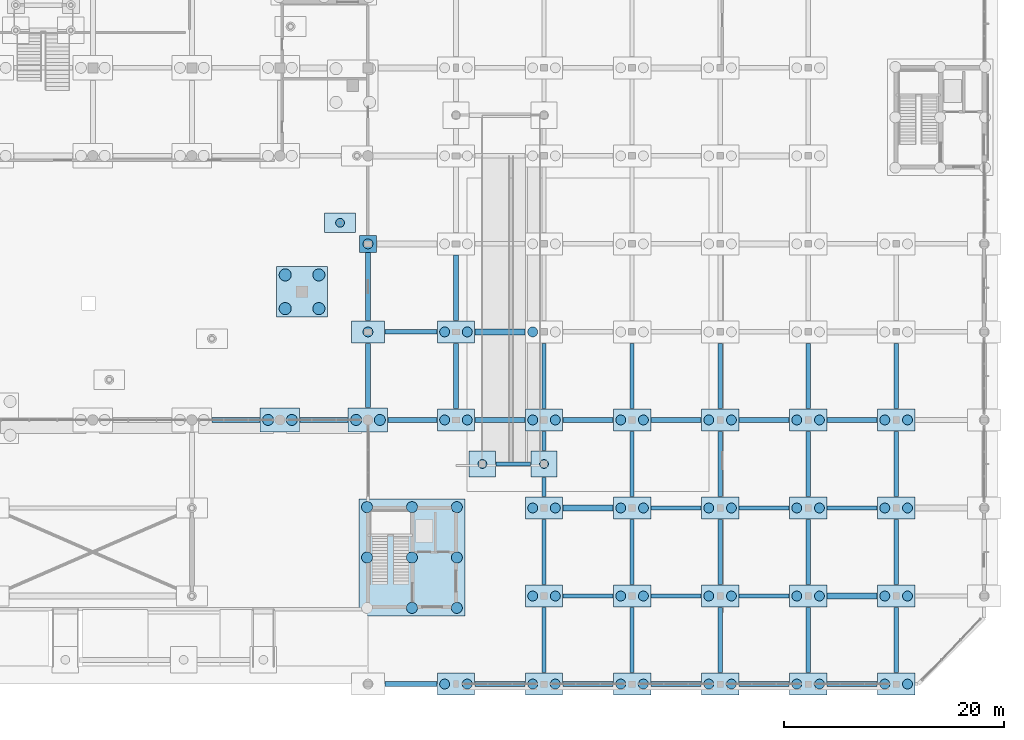
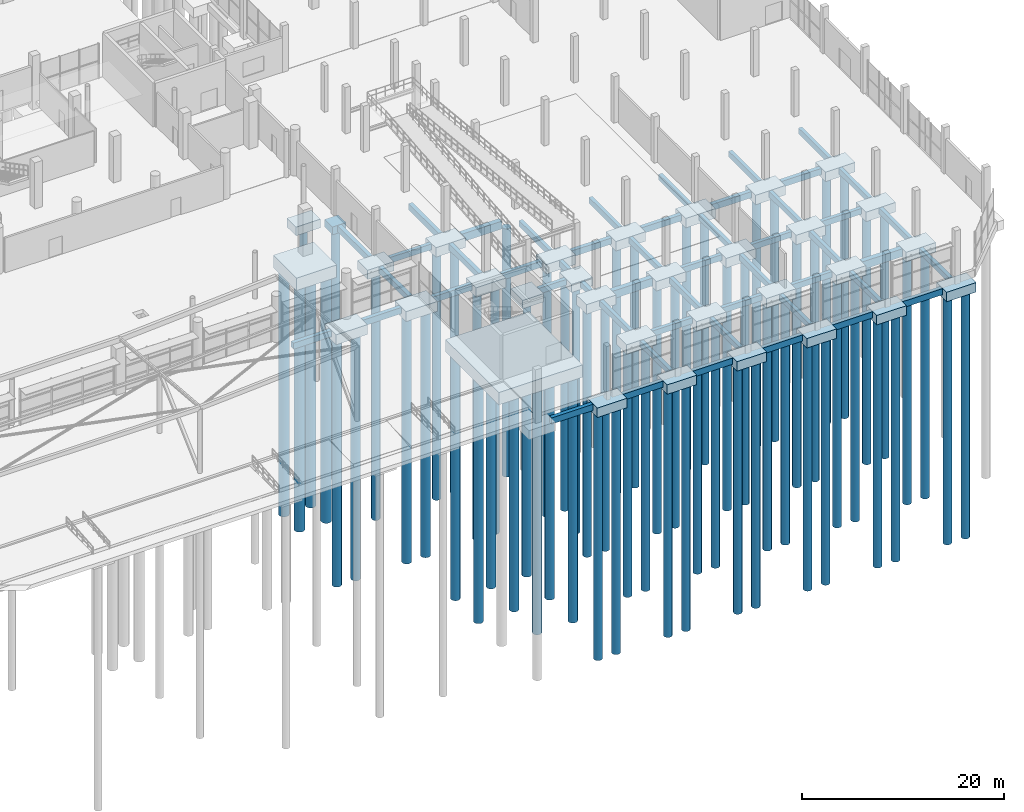
# One storey, part 7 of 98: 82 footings, 68 piles.
"""IFC4 building model written with IfcOpenShell, lengths in metres."""

from ifc_helpers import new_model, si_unit, derived_unit, direction, frame, origin, origin_2d, place, context, subcontext, project, spatial, rectangle, circle, extrude, material, layer, layer_set, material_profile, profile_set, type_object, element, save


model = new_model("IFC4")

# Units and contexts
model_context = context("Model", 3, precision=1e-05, world=origin(), true_north=direction((0.0, 1.0)))
body_context = subcontext(model_context, "Body", "Model", "MODEL_VIEW")
ifc_project = project(units=[si_unit("LENGTHUNIT", "METRE"), si_unit("AREAUNIT", "SQUARE_METRE"), si_unit("VOLUMEUNIT", "CUBIC_METRE"), si_unit("PLANEANGLEUNIT", "RADIAN"), si_unit("MASSUNIT", "GRAM", prefix="KILO"), si_unit("THERMODYNAMICTEMPERATUREUNIT", "KELVIN"), derived_unit("THERMALTRANSMITTANCEUNIT", [(si_unit("POWERUNIT", "WATT"), 1), (si_unit("AREAUNIT", "SQUARE_METRE"), -1), (si_unit("THERMODYNAMICTEMPERATUREUNIT", "KELVIN"), -1)])], contexts=[model_context])

# Site, building, storey
site_placement = place(None, origin())
site = spatial("IfcSite", under=ifc_project, at=site_placement, CompositionType="ELEMENT")
building_placement = place(site_placement, origin())
building = spatial("IfcBuilding", under=site, at=building_placement, Name="Haiyu Intermodal Mobility Hub", CompositionType="ELEMENT")
storey_placement = place(building_placement, origin())
storey = spatial("IfcBuildingStorey", under=building, at=storey_placement, Name="L00", CompositionType="ELEMENT", Elevation=0.0)

# Footings
ifc_material = material(Name="Concrete C40", Category="concrete")
ifc_layer_1 = layer(ifc_material, 1.5)
ifc_layer_set_1 = layer_set([ifc_layer_1], Name="Concrete C40")
footing_type_1 = type_object("IfcFootingType", Name="CAP-PC01", PredefinedType="PILE_CAP", material=ifc_layer_set_1)
footing_1_placement = place(storey_placement, frame((148.010009765625, 51.64990234375, -2.39990234375), z_axis=(0.0, 0.0, 1.0), x_axis=(1.0, 0.0, 0.0)))
element("IfcFooting", 1, at=footing_1_placement, inside=storey, type_object=footing_type_1, Name="Pile Cap CAP-MP-08", PredefinedType="PILE_CAP", context=body_context, shape_type="SweptSolid", body=[
    extrude(rectangle(XDim=4.60009765625, YDim=4.60009765625, at=origin_2d()), origin(), (0.0, 0.0, 1.0), 1.5),
])
ifc_layer_2 = layer(ifc_material, 1.199951171875)
ifc_layer_set_2 = layer_set([ifc_layer_2], Name="Concrete C40")
footing_type_2 = type_object("IfcFootingType", Name="CAP-PC04", PredefinedType="PILE_CAP", material=ifc_layer_set_2)
for number, where, z_axis, x_axis, name in (
    (2, (146.0, 40.0, -2.10009765625), (0.0, 0.0, 1.0), (1.0, 0.0, 0.0), "Pile Cap CAP-V1-16D"),
    (3, (154.0, 40.0, -2.10009765625), (0.0, 0.0, 1.0), (1.0, 0.0, 0.0), "Pile Cap CAP-V1-17D"),
):
    element("IfcFooting", number, at=place(storey_placement, frame(where, z_axis=z_axis, x_axis=x_axis)), inside=storey, type_object=footing_type_2, Name=name, PredefinedType="PILE_CAP", context=body_context, shape_type="SweptSolid", body=[
        extrude(rectangle(XDim=3.60009765625, YDim=2.199951171875, at=origin_2d()), origin(), (0.0, 0.0, 1.0), 1.199951171875),
    ])
ifc_layer_3 = layer(ifc_material, 1.14990234375)
ifc_layer_set_3 = layer_set([ifc_layer_3], Name="Concrete C40")
footing_type_3 = type_object("IfcFootingType", Name="CAP-PC05", PredefinedType="PILE_CAP", material=ifc_layer_set_3)
for number, where, z_axis, x_axis, name in (
    (4, (162.0, 16.0, -2.050048828125), (0.0, 0.0, 1.0), (1.0, 0.0, 0.0), "Pile Cap CAP-V5-18A"),
    (5, (162.0, 40.0, -2.050048828125), (0.0, 0.0, 1.0), (1.0, 0.0, 0.0), "Pile Cap CAP-V5-18D"),
    (6, (162.0, 48.0, -2.050048828125), (0.0, 0.0, 1.0), (1.0, 0.0, 0.0), "Pile Cap CAP-V5-18E"),
    (7, (170.0, 16.0, -2.050048828125), (0.0, 0.0, 1.0), (1.0, 0.0, 0.0), "Pile Cap CAP-V5-19A"),
    (8, (170.0, 24.0, -2.050048828125), (0.0, 0.0, 1.0), (1.0, 0.0, 0.0), "Pile Cap CAP-V5-19B"),
    (9, (170.0, 32.0, -2.050048828125), (0.0, 0.0, 1.0), (1.0, 0.0, 0.0), "Pile Cap CAP-V5-19C"),
    (10, (170.0, 40.0, -2.050048828125), (0.0, 0.0, 1.0), (1.0, 0.0, 0.0), "Pile Cap CAP-V5-19D"),
    (11, (178.0, 16.0, -2.050048828125), (0.0, 0.0, 1.0), (1.0, 0.0, 0.0), "Pile Cap CAP-V5-20A"),
    (12, (178.0, 24.0, -2.050048828125), (0.0, 0.0, 1.0), (1.0, 0.0, 0.0), "Pile Cap CAP-V5-20B"),
    (13, (178.0, 32.0, -2.050048828125), (0.0, 0.0, 1.0), (1.0, 0.0, 0.0), "Pile Cap CAP-V5-20C"),
    (14, (178.0, 40.0, -2.050048828125), (0.0, 0.0, 1.0), (1.0, 0.0, 0.0), "Pile Cap CAP-V5-20D"),
    (15, (186.0, 16.0, -2.050048828125), (0.0, 0.0, 1.0), (1.0, 0.0, 0.0), "Pile Cap CAP-V5-21A"),
    (16, (186.0, 24.0, -2.050048828125), (0.0, 0.0, 1.0), (1.0, 0.0, 0.0), "Pile Cap CAP-V5-21B"),
    (17, (186.0, 32.0, -2.050048828125), (0.0, 0.0, 1.0), (1.0, 0.0, 0.0), "Pile Cap CAP-V5-21C"),
    (18, (186.0, 40.0, -2.050048828125), (0.0, 0.0, 1.0), (1.0, 0.0, 0.0), "Pile Cap CAP-V5-21D"),
    (19, (194.0, 16.0, -2.050048828125), (0.0, 0.0, 1.0), (1.0, 0.0, 0.0), "Pile Cap CAP-V5-22A"),
    (20, (194.0, 24.0, -2.050048828125), (0.0, 0.0, 1.0), (1.0, 0.0, 0.0), "Pile Cap CAP-V5-22B"),
    (21, (194.0, 32.0, -2.050048828125), (0.0, 0.0, 1.0), (1.0, 0.0, 0.0), "Pile Cap CAP-V5-22C"),
    (22, (194.0, 40.0, -2.050048828125), (0.0, 0.0, 1.0), (1.0, 0.0, 0.0), "Pile Cap CAP-V5-22D"),
    (23, (202.0, 16.0, -2.050048828125), (0.0, 0.0, 1.0), (1.0, 0.0, 0.0), "Pile Cap CAP-V5-23A"),
    (24, (202.0, 24.0, -2.050048828125), (0.0, 0.0, 1.0), (1.0, 0.0, 0.0), "Pile Cap CAP-V5-23B"),
    (25, (202.0, 32.0, -2.050048828125), (0.0, 0.0, 1.0), (1.0, 0.0, 0.0), "Pile Cap CAP-V5-23C"),
    (26, (202.0, 40.0, -2.050048828125), (0.0, 0.0, 1.0), (1.0, 0.0, 0.0), "Pile Cap CAP-V5-23D"),
):
    element("IfcFooting", number, at=place(storey_placement, frame(where, z_axis=z_axis, x_axis=x_axis)), inside=storey, type_object=footing_type_3, Name=name, PredefinedType="PILE_CAP", context=body_context, shape_type="SweptSolid", body=[
        extrude(rectangle(XDim=3.39990234375, YDim=2.0, at=origin_2d()), origin(), (0.0, 0.0, 1.0), 1.14990234375),
    ])
ifc_layer_4 = layer(ifc_material, 1.050048828125)
ifc_layer_set_4 = layer_set([ifc_layer_4], Name="Concrete C40")
footing_type_4 = type_object("IfcFootingType", Name="CAP-PC07", PredefinedType="PILE_CAP", material=ifc_layer_set_4)
footing_2_placement = place(storey_placement, frame((151.467041015625, 57.91796875, -1.9501953125), z_axis=(0.0, 0.0, 1.0), x_axis=(1.0, 0.0, 0.0)))
element("IfcFooting", 27, at=footing_2_placement, inside=storey, type_object=footing_type_4, Name="Pile Cap CAP-RCOL-24", PredefinedType="PILE_CAP", context=body_context, shape_type="SweptSolid", body=[
    extrude(rectangle(XDim=2.800048828125, YDim=1.800048828125, at=origin_2d()), origin(), (0.0, 0.0, 1.0), 1.050048828125),
])
ifc_layer_5 = layer(ifc_material, 1.0)
ifc_layer_set_5 = layer_set([ifc_layer_5], Name="Concrete C40")
footing_type_5 = type_object("IfcFootingType", Name="CAP-PC10", PredefinedType="PILE_CAP", material=ifc_layer_set_5)
for number, where, z_axis, x_axis, name in (
    (28, (164.39990234375, 36.0, -1.89990234375), (0.0, 0.0, 1.0), (1.0, 0.0, 0.0), "Pile Cap CAP-BRMP-1"),
    (29, (170.0, 36.0, -1.89990234375), (0.0, 0.0, 1.0), (1.0, 0.0, 0.0), "Pile Cap CAP-BRMP-2"),
):
    element("IfcFooting", number, at=place(storey_placement, frame(where, z_axis=z_axis, x_axis=x_axis)), inside=storey, type_object=footing_type_5, Name=name, PredefinedType="PILE_CAP", context=body_context, shape_type="SweptSolid", body=[
        extrude(rectangle(XDim=2.39990234375, YDim=2.39990234375, at=origin_2d()), origin(), (0.0, 0.0, 1.0), 1.0),
    ])
ifc_layer_6 = layer(ifc_material, 1.10009765625)
ifc_layer_set_6 = layer_set([ifc_layer_6], Name="Concrete C40")
footing_type_6 = type_object("IfcFootingType", Name="CAP-PC14", PredefinedType="PILE_CAP", material=ifc_layer_set_6)
footing_3_placement = place(storey_placement, frame((154.0, 48.0, -2.0), z_axis=(0.0, 0.0, 1.0), x_axis=(1.0, 0.0, 0.0)))
element("IfcFooting", 30, at=footing_3_placement, inside=storey, type_object=footing_type_6, Name="Pile Cap CAP-V5-17E", PredefinedType="PILE_CAP", context=body_context, shape_type="SweptSolid", body=[
    extrude(rectangle(XDim=3.0, YDim=2.0, at=origin_2d()), origin(), (0.0, 0.0, 1.0), 1.10009765625),
])
ifc_layer_7 = layer(ifc_material, 1.5)
ifc_layer_set_7 = layer_set([ifc_layer_7], Name="Concrete C40")
footing_type_7 = type_object("IfcFootingType", Name="CAP-PC16", PredefinedType="PILE_CAP", material=ifc_layer_set_7)
footing_4_placement = place(storey_placement, frame((158.0, 27.5, -2.39990234375), z_axis=(0.0, 0.0, 1.0), x_axis=(1.0, 0.0, 0.0)))
element("IfcFooting", 31, at=footing_4_placement, inside=storey, type_object=footing_type_7, Name="Pile Cap CAP-CORE-C8", PredefinedType="PILE_CAP", context=body_context, shape_type="SweptSolid", body=[
    extrude(rectangle(XDim=9.60009765625, YDim=10.60009765625, at=origin_2d()), origin(), (0.0, 0.0, 1.0), 1.5),
])
ifc_layer_8 = layer(ifc_material, 0.949951171875)
ifc_layer_set_8 = layer_set([ifc_layer_8], Name="Concrete C40")
footing_type_8 = type_object("IfcFootingType", Name="CAP-PC17", PredefinedType="PILE_CAP", material=ifc_layer_set_8)
footing_5_placement = place(storey_placement, frame((154.0, 56.0, -1.85009765625), z_axis=(0.0, 0.0, 1.0), x_axis=(1.0, 0.0, 0.0)))
element("IfcFooting", 32, at=footing_5_placement, inside=storey, type_object=footing_type_8, Name="Pile Cap CAP-V5-17F", PredefinedType="PILE_CAP", context=body_context, shape_type="SweptSolid", body=[
    extrude(rectangle(XDim=1.550048828125, YDim=1.550048828125, at=origin_2d()), origin(), (0.0, 0.0, 1.0), 0.949951171875),
])
ifc_material_profile_1 = material_profile(ifc_material, rectangle(XDim=0.449951171875, YDim=0.75, at=origin_2d()), Name="FB450x750")
ifc_profile_set_1 = profile_set([ifc_material_profile_1], Name="Concrete C40")
footing_type_9 = type_object("IfcFootingType", Name="FBM-FB02", PredefinedType="FOOTING_BEAM", material=ifc_profile_set_1)
footing_6_placement = place(storey_placement, frame((155.530029296875, 16.0, -1.27490234375), z_axis=(1.0, 0.0, 0.0), x_axis=(0.0, 1.0, 0.0)))
element("IfcFooting", 33, at=footing_6_placement, inside=storey, type_object=footing_type_9, Name="Foundation Tie Beam FBM-X-001", PredefinedType="FOOTING_BEAM", context=body_context, shape_type="SweptSolid", body=[
    extrude(rectangle(XDim=0.449951171875, YDim=0.75, at=origin_2d()), origin(), (0.0, 0.0, 1.0), 4.739990234375),
])
for number, where, z_axis, x_axis, name in (
    (34, (163.72998046875, 16.0, -1.27490234375), (1.0, 0.0, 0.0), (0.0, 1.0, 0.0), "Foundation Tie Beam FBM-X-002"),
    (35, (171.72998046875, 16.0, -1.27490234375), (1.0, 0.0, 0.0), (0.0, 1.0, 0.0), "Foundation Tie Beam FBM-X-003"),
    (36, (179.72998046875, 16.0, -1.27490234375), (1.0, 0.0, 0.0), (0.0, 1.0, 0.0), "Foundation Tie Beam FBM-X-004"),
    (37, (187.72998046875, 16.0, -1.27490234375), (1.0, 0.0, 0.0), (0.0, 1.0, 0.0), "Foundation Tie Beam FBM-X-005"),
    (38, (195.72998046875, 16.0, -1.27490234375), (1.0, 0.0, 0.0), (0.0, 1.0, 0.0), "Foundation Tie Beam FBM-X-006"),
):
    element("IfcFooting", number, at=place(storey_placement, frame(where, z_axis=z_axis, x_axis=x_axis)), inside=storey, type_object=footing_type_9, Name=name, PredefinedType="FOOTING_BEAM", context=body_context, shape_type="SweptSolid", body=[
        extrude(rectangle(XDim=0.449951171875, YDim=0.75, at=origin_2d()), origin(), (0.0, 0.0, 1.0), 4.5400390625),
    ])
for number, where, z_axis, x_axis, name in (
    (39, (139.830078125, 40.0, -1.27490234375), (1.0, 0.0, 0.0), (0.0, 1.0, 0.0), "Foundation Tie Beam FBM-X-029"),
    (40, (147.830078125, 40.0, -1.27490234375), (1.0, 0.0, 0.0), (0.0, 1.0, 0.0), "Foundation Tie Beam FBM-X-030"),
):
    element("IfcFooting", number, at=place(storey_placement, frame(where, z_axis=z_axis, x_axis=x_axis)), inside=storey, type_object=footing_type_9, Name=name, PredefinedType="FOOTING_BEAM", context=body_context, shape_type="SweptSolid", body=[
        extrude(rectangle(XDim=0.449951171875, YDim=0.75, at=origin_2d()), origin(), (0.0, 0.0, 1.0), 4.33984375),
    ])
footing_7_placement = place(storey_placement, frame((155.830078125, 40.0, -1.27490234375), z_axis=(1.0, 0.0, 0.0), x_axis=(0.0, 1.0, 0.0)))
element("IfcFooting", 41, at=footing_7_placement, inside=storey, type_object=footing_type_9, Name="Foundation Tie Beam FBM-X-031", PredefinedType="FOOTING_BEAM", context=body_context, shape_type="SweptSolid", body=[
    extrude(rectangle(XDim=0.449951171875, YDim=0.75, at=origin_2d()), origin(), (0.0, 0.0, 1.0), 4.43994140625),
])
for number, where, z_axis, x_axis, name in (
    (42, (163.72998046875, 40.0, -1.27490234375), (1.0, 0.0, 0.0), (0.0, 1.0, 0.0), "Foundation Tie Beam FBM-X-032"),
    (43, (171.72998046875, 40.0, -1.27490234375), (1.0, 0.0, 0.0), (0.0, 1.0, 0.0), "Foundation Tie Beam FBM-X-033"),
    (44, (179.72998046875, 40.0, -1.27490234375), (1.0, 0.0, 0.0), (0.0, 1.0, 0.0), "Foundation Tie Beam FBM-X-034"),
    (45, (187.72998046875, 40.0, -1.27490234375), (1.0, 0.0, 0.0), (0.0, 1.0, 0.0), "Foundation Tie Beam FBM-X-035"),
    (46, (195.72998046875, 40.0, -1.27490234375), (1.0, 0.0, 0.0), (0.0, 1.0, 0.0), "Foundation Tie Beam FBM-X-036"),
):
    element("IfcFooting", number, at=place(storey_placement, frame(where, z_axis=z_axis, x_axis=x_axis)), inside=storey, type_object=footing_type_9, Name=name, PredefinedType="FOOTING_BEAM", context=body_context, shape_type="SweptSolid", body=[
        extrude(rectangle(XDim=0.449951171875, YDim=0.75, at=origin_2d()), origin(), (0.0, 0.0, 1.0), 4.5400390625),
    ])
footing_8_placement = place(storey_placement, frame((154.0, 41.1298828125, -1.27490234375), z_axis=(0.0, 1.0, 0.0), x_axis=(-1.0, 0.0, 0.0)))
element("IfcFooting", 47, at=footing_8_placement, inside=storey, type_object=footing_type_9, Name="Foundation Tie Beam FBM-Y-345", PredefinedType="FOOTING_BEAM", context=body_context, shape_type="SweptSolid", body=[
    extrude(rectangle(XDim=0.449951171875, YDim=0.75, at=origin_2d()), origin(), (0.0, 0.0, 1.0), 5.840087890625),
])
footing_9_placement = place(storey_placement, frame((154.0, 49.030029296875, -1.27490234375), z_axis=(0.0, 1.0, 0.0), x_axis=(-1.0, 0.0, 0.0)))
element("IfcFooting", 48, at=footing_9_placement, inside=storey, type_object=footing_type_9, Name="Foundation Tie Beam FBM-Y-346", PredefinedType="FOOTING_BEAM", context=body_context, shape_type="SweptSolid", body=[
    extrude(rectangle(XDim=0.449951171875, YDim=0.75, at=origin_2d()), origin(), (0.0, 0.0, 1.0), 6.1650390625),
])
for number, where, z_axis, x_axis, name in (
    (49, (162.0, 41.030029296875, -1.27490234375), (0.0, 1.0, 0.0), (-1.0, 0.0, 0.0), "Foundation Tie Beam FBM-Y-350"),
    (50, (162.0, 49.030029296875, -1.27490234375), (0.0, 1.0, 0.0), (-1.0, 0.0, 0.0), "Foundation Tie Beam FBM-Y-351"),
):
    element("IfcFooting", number, at=place(storey_placement, frame(where, z_axis=z_axis, x_axis=x_axis)), inside=storey, type_object=footing_type_9, Name=name, PredefinedType="FOOTING_BEAM", context=body_context, shape_type="SweptSolid", body=[
        extrude(rectangle(XDim=0.449951171875, YDim=0.75, at=origin_2d()), origin(), (0.0, 0.0, 1.0), 5.93994140625),
    ])
ifc_material_profile_2 = material_profile(ifc_material, rectangle(XDim=0.39990234375, YDim=0.699951171875, at=origin_2d()), Name="FB400x700")
ifc_profile_set_2 = profile_set([ifc_material_profile_2], Name="Concrete C40")
footing_type_10 = type_object("IfcFootingType", Name="FBM-FB03", PredefinedType="FOOTING_BEAM", material=ifc_profile_set_2)
for number, where, z_axis, x_axis, name in (
    (51, (171.72998046875, 24.0, -1.25), (1.0, 0.0, 0.0), (0.0, 1.0, 0.0), "Foundation Tie Beam FBM-X-013"),
    (52, (179.72998046875, 24.0, -1.25), (1.0, 0.0, 0.0), (0.0, 1.0, 0.0), "Foundation Tie Beam FBM-X-014"),
    (53, (187.72998046875, 24.0, -1.25), (1.0, 0.0, 0.0), (0.0, 1.0, 0.0), "Foundation Tie Beam FBM-X-015"),
    (54, (179.72998046875, 32.0, -1.25), (1.0, 0.0, 0.0), (0.0, 1.0, 0.0), "Foundation Tie Beam FBM-X-021"),
    (55, (187.72998046875, 32.0, -1.25), (1.0, 0.0, 0.0), (0.0, 1.0, 0.0), "Foundation Tie Beam FBM-X-022"),
    (56, (195.72998046875, 32.0, -1.25), (1.0, 0.0, 0.0), (0.0, 1.0, 0.0), "Foundation Tie Beam FBM-X-023"),
):
    element("IfcFooting", number, at=place(storey_placement, frame(where, z_axis=z_axis, x_axis=x_axis)), inside=storey, type_object=footing_type_10, Name=name, PredefinedType="FOOTING_BEAM", context=body_context, shape_type="SweptSolid", body=[
        extrude(rectangle(XDim=0.39990234375, YDim=0.699951171875, at=origin_2d()), origin(), (0.0, 0.0, 1.0), 4.5400390625),
    ])
footing_10_placement = place(storey_placement, frame((165.6298828125, 36.0, -1.25), z_axis=(1.0, 0.0, 0.0), x_axis=(0.0, 1.0, 0.0)))
element("IfcFooting", 57, at=footing_10_placement, inside=storey, type_object=footing_type_10, Name="Foundation Tie Beam FBM-X-025", PredefinedType="FOOTING_BEAM", context=body_context, shape_type="SweptSolid", body=[
    extrude(rectangle(XDim=0.39990234375, YDim=0.699951171875, at=origin_2d()), origin(), (0.0, 0.0, 1.0), 3.14013671875),
])
footing_11_placement = place(storey_placement, frame((155.530029296875, 48.0, -1.25), z_axis=(1.0, 0.0, 0.0), x_axis=(0.0, 1.0, 0.0)))
element("IfcFooting", 58, at=footing_11_placement, inside=storey, type_object=footing_type_10, Name="Foundation Tie Beam FBM-X-043", PredefinedType="FOOTING_BEAM", context=body_context, shape_type="SweptSolid", body=[
    extrude(rectangle(XDim=0.39990234375, YDim=0.699951171875, at=origin_2d()), origin(), (0.0, 0.0, 1.0), 4.739990234375),
])
for number, where, z_axis, x_axis, name in (
    (59, (170.0, 17.030029296875, -1.25), (0.0, 1.0, 0.0), (-1.0, 0.0, 0.0), "Foundation Tie Beam FBM-Y-362"),
    (60, (170.0, 25.030029296875, -1.25), (0.0, 1.0, 0.0), (-1.0, 0.0, 0.0), "Foundation Tie Beam FBM-Y-363"),
):
    element("IfcFooting", number, at=place(storey_placement, frame(where, z_axis=z_axis, x_axis=x_axis)), inside=storey, type_object=footing_type_10, Name=name, PredefinedType="FOOTING_BEAM", context=body_context, shape_type="SweptSolid", body=[
        extrude(rectangle(XDim=0.39990234375, YDim=0.699951171875, at=origin_2d()), origin(), (0.0, 0.0, 1.0), 5.93994140625),
    ])
for number, where, z_axis, x_axis, name in (
    (61, (170.0, 33.030029296875, -1.25), (0.0, 1.0, 0.0), (-1.0, 0.0, 0.0), "Foundation Tie Beam FBM-Y-364"),
    (62, (170.0, 37.22998046875, -1.25), (0.0, 1.0, 0.0), (-1.0, 0.0, 0.0), "Foundation Tie Beam FBM-Y-365"),
):
    element("IfcFooting", number, at=place(storey_placement, frame(where, z_axis=z_axis, x_axis=x_axis)), inside=storey, type_object=footing_type_10, Name=name, PredefinedType="FOOTING_BEAM", context=body_context, shape_type="SweptSolid", body=[
        extrude(rectangle(XDim=0.39990234375, YDim=0.699951171875, at=origin_2d()), origin(), (0.0, 0.0, 1.0), 1.739990234375),
    ])
for number, where, z_axis, x_axis, name in (
    (63, (170.0, 41.030029296875, -1.25), (0.0, 1.0, 0.0), (-1.0, 0.0, 0.0), "Foundation Tie Beam FBM-Y-366"),
    (64, (178.0, 17.030029296875, -1.25), (0.0, 1.0, 0.0), (-1.0, 0.0, 0.0), "Foundation Tie Beam FBM-Y-380"),
    (65, (178.0, 25.030029296875, -1.25), (0.0, 1.0, 0.0), (-1.0, 0.0, 0.0), "Foundation Tie Beam FBM-Y-381"),
    (66, (178.0, 33.030029296875, -1.25), (0.0, 1.0, 0.0), (-1.0, 0.0, 0.0), "Foundation Tie Beam FBM-Y-382"),
    (67, (178.0, 41.030029296875, -1.25), (0.0, 1.0, 0.0), (-1.0, 0.0, 0.0), "Foundation Tie Beam FBM-Y-383"),
    (68, (186.0, 17.030029296875, -1.25), (0.0, 1.0, 0.0), (-1.0, 0.0, 0.0), "Foundation Tie Beam FBM-Y-396"),
    (69, (186.0, 25.030029296875, -1.25), (0.0, 1.0, 0.0), (-1.0, 0.0, 0.0), "Foundation Tie Beam FBM-Y-397"),
    (70, (186.0, 33.030029296875, -1.25), (0.0, 1.0, 0.0), (-1.0, 0.0, 0.0), "Foundation Tie Beam FBM-Y-398"),
    (71, (186.0, 41.030029296875, -1.25), (0.0, 1.0, 0.0), (-1.0, 0.0, 0.0), "Foundation Tie Beam FBM-Y-399"),
    (72, (194.0, 17.030029296875, -1.25), (0.0, 1.0, 0.0), (-1.0, 0.0, 0.0), "Foundation Tie Beam FBM-Y-412"),
    (73, (194.0, 25.030029296875, -1.25), (0.0, 1.0, 0.0), (-1.0, 0.0, 0.0), "Foundation Tie Beam FBM-Y-413"),
    (74, (194.0, 33.030029296875, -1.25), (0.0, 1.0, 0.0), (-1.0, 0.0, 0.0), "Foundation Tie Beam FBM-Y-414"),
    (75, (194.0, 41.030029296875, -1.25), (0.0, 1.0, 0.0), (-1.0, 0.0, 0.0), "Foundation Tie Beam FBM-Y-415"),
    (76, (202.0, 17.030029296875, -1.25), (0.0, 1.0, 0.0), (-1.0, 0.0, 0.0), "Foundation Tie Beam FBM-Y-428"),
    (77, (202.0, 25.030029296875, -1.25), (0.0, 1.0, 0.0), (-1.0, 0.0, 0.0), "Foundation Tie Beam FBM-Y-429"),
    (78, (202.0, 33.030029296875, -1.25), (0.0, 1.0, 0.0), (-1.0, 0.0, 0.0), "Foundation Tie Beam FBM-Y-430"),
    (79, (202.0, 41.030029296875, -1.25), (0.0, 1.0, 0.0), (-1.0, 0.0, 0.0), "Foundation Tie Beam FBM-Y-431"),
):
    element("IfcFooting", number, at=place(storey_placement, frame(where, z_axis=z_axis, x_axis=x_axis)), inside=storey, type_object=footing_type_10, Name=name, PredefinedType="FOOTING_BEAM", context=body_context, shape_type="SweptSolid", body=[
        extrude(rectangle(XDim=0.39990234375, YDim=0.699951171875, at=origin_2d()), origin(), (0.0, 0.0, 1.0), 5.93994140625),
    ])
ifc_material_profile_3 = material_profile(ifc_material, rectangle(XDim=0.550048828125, YDim=0.949951171875, at=origin_2d()), Name="FB550x950")
ifc_profile_set_3 = profile_set([ifc_material_profile_3], Name="Concrete C40")
footing_type_11 = type_object("IfcFootingType", Name="FBM-FB04", PredefinedType="FOOTING_BEAM", material=ifc_profile_set_3)
for number, where, z_axis, x_axis, name in (
    (80, (195.72998046875, 24.0, -1.375), (1.0, 0.0, 0.0), (0.0, 1.0, 0.0), "Foundation Tie Beam FBM-X-016"),
    (81, (171.72998046875, 32.0, -1.375), (1.0, 0.0, 0.0), (0.0, 1.0, 0.0), "Foundation Tie Beam FBM-X-020"),
    (82, (163.72998046875, 48.0, -1.375), (1.0, 0.0, 0.0), (0.0, 1.0, 0.0), "Foundation Tie Beam FBM-X-044"),
):
    element("IfcFooting", number, at=place(storey_placement, frame(where, z_axis=z_axis, x_axis=x_axis)), inside=storey, type_object=footing_type_11, Name=name, PredefinedType="FOOTING_BEAM", context=body_context, shape_type="SweptSolid", body=[
        extrude(rectangle(XDim=0.550048828125, YDim=0.949951171875, at=origin_2d()), origin(), (0.0, 0.0, 1.0), 4.5400390625),
    ])

# Piles
ifc_material_profile_4 = material_profile(ifc_material, circle(Radius=0.550048828125, at=origin_2d()), Name="PILE-D1100")
ifc_profile_set_4 = profile_set([ifc_material_profile_4], Name="Concrete C40")
pile_type_1 = type_object("IfcPileType", Name="PILE-PL01", PredefinedType="BORED", material=ifc_profile_set_4)
for number, where, z_axis, x_axis, name in (
    (83, (146.47998046875, 50.1201171875, -2.300048828125), (0.0, 0.0, -1.0), (1.0, 0.0, 0.0), "Bored Pile CAP-MP-08-P1"),
    (84, (149.5400390625, 50.1201171875, -2.300048828125), (0.0, 0.0, -1.0), (1.0, 0.0, 0.0), "Bored Pile CAP-MP-08-P2"),
    (85, (146.47998046875, 53.179931640625, -2.300048828125), (0.0, 0.0, -1.0), (1.0, 0.0, 0.0), "Bored Pile CAP-MP-08-P3"),
    (86, (149.5400390625, 53.179931640625, -2.300048828125), (0.0, 0.0, -1.0), (1.0, 0.0, 0.0), "Bored Pile CAP-MP-08-P4"),
):
    element("IfcPile", number, at=place(storey_placement, frame(where, z_axis=z_axis, x_axis=x_axis)), inside=storey, type_object=pile_type_1, Name=name, PredefinedType="BORED", context=body_context, shape_type="SweptSolid", body=[
        extrude(circle(Radius=0.550048828125, at=origin_2d()), origin(), (0.0, 0.0, 1.0), 29.699951171875),
    ])
ifc_material_profile_5 = material_profile(ifc_material, circle(Radius=0.5, at=origin_2d()), Name="PILE-D1000")
ifc_profile_set_5 = profile_set([ifc_material_profile_5], Name="Concrete C40")
pile_type_2 = type_object("IfcPileType", Name="PILE-PL02", PredefinedType="BORED", material=ifc_profile_set_5)
for number, where, z_axis, x_axis, name in (
    (87, (153.919921875, 27.5, -2.300048828125), (0.0, 0.0, -1.0), (1.0, 0.0, 0.0), "Bored Pile CAP-CORE-C8-P2"),
    (88, (153.919921875, 32.080078125, -2.300048828125), (0.0, 0.0, -1.0), (1.0, 0.0, 0.0), "Bored Pile CAP-CORE-C8-P3"),
    (89, (158.0, 22.919921875, -2.300048828125), (0.0, 0.0, -1.0), (1.0, 0.0, 0.0), "Bored Pile CAP-CORE-C8-P4"),
    (90, (158.0, 27.5, -2.300048828125), (0.0, 0.0, -1.0), (1.0, 0.0, 0.0), "Bored Pile CAP-CORE-C8-P5"),
    (91, (158.0, 32.080078125, -2.300048828125), (0.0, 0.0, -1.0), (1.0, 0.0, 0.0), "Bored Pile CAP-CORE-C8-P6"),
    (92, (162.080078125, 22.919921875, -2.300048828125), (0.0, 0.0, -1.0), (1.0, 0.0, 0.0), "Bored Pile CAP-CORE-C8-P7"),
    (93, (162.080078125, 27.5, -2.300048828125), (0.0, 0.0, -1.0), (1.0, 0.0, 0.0), "Bored Pile CAP-CORE-C8-P8"),
    (94, (162.080078125, 32.080078125, -2.300048828125), (0.0, 0.0, -1.0), (1.0, 0.0, 0.0), "Bored Pile CAP-CORE-C8-P9"),
):
    element("IfcPile", number, at=place(storey_placement, frame(where, z_axis=z_axis, x_axis=x_axis)), inside=storey, type_object=pile_type_2, Name=name, PredefinedType="BORED", context=body_context, shape_type="SweptSolid", body=[
        extrude(circle(Radius=0.5, at=origin_2d()), origin(), (0.0, 0.0, 1.0), 29.699951171875),
    ])
for number, where, z_axis, x_axis, name in (
    (95, (144.919921875, 40.0, -2.0), (0.0, 0.0, -1.0), (1.0, 0.0, 0.0), "Bored Pile CAP-V1-16D-P1"),
    (96, (147.080078125, 40.0, -2.0), (0.0, 0.0, -1.0), (1.0, 0.0, 0.0), "Bored Pile CAP-V1-16D-P2"),
    (97, (152.919921875, 40.0, -2.0), (0.0, 0.0, -1.0), (1.0, 0.0, 0.0), "Bored Pile CAP-V1-17D-P1"),
    (98, (155.080078125, 40.0, -2.0), (0.0, 0.0, -1.0), (1.0, 0.0, 0.0), "Bored Pile CAP-V1-17D-P2"),
):
    element("IfcPile", number, at=place(storey_placement, frame(where, z_axis=z_axis, x_axis=x_axis)), inside=storey, type_object=pile_type_2, Name=name, PredefinedType="BORED", context=body_context, shape_type="SweptSolid", body=[
        extrude(circle(Radius=0.5, at=origin_2d()), origin(), (0.0, 0.0, 1.0), 30.0),
    ])
ifc_material_profile_6 = material_profile(ifc_material, circle(Radius=0.449951171875, at=origin_2d()), Name="PILE-D900")
ifc_profile_set_6 = profile_set([ifc_material_profile_6], Name="Concrete C40")
pile_type_3 = type_object("IfcPileType", Name="PILE-PL03", PredefinedType="BORED", material=ifc_profile_set_6)
pile_1_placement = place(storey_placement, frame((154.0, 48.0, -1.89990234375), z_axis=(0.0, 0.0, -1.0), x_axis=(1.0, 0.0, 0.0)))
element("IfcPile", 99, at=pile_1_placement, inside=storey, type_object=pile_type_3, Name="Bored Pile CAP-V5-17E-P1", PredefinedType="BORED", context=body_context, shape_type="SweptSolid", body=[
    extrude(circle(Radius=0.449951171875, at=origin_2d()), origin(), (0.0, 0.0, 1.0), 30.10009765625),
])
pile_2_placement = place(storey_placement, frame((154.0, 56.0, -1.75), z_axis=(0.0, 0.0, -1.0), x_axis=(1.0, 0.0, 0.0)))
element("IfcPile", 100, at=pile_2_placement, inside=storey, type_object=pile_type_3, Name="Bored Pile CAP-V5-17F-P1", PredefinedType="BORED", context=body_context, shape_type="SweptSolid", body=[
    extrude(circle(Radius=0.449951171875, at=origin_2d()), origin(), (0.0, 0.0, 1.0), 30.25),
])
for number, where, z_axis, x_axis, name in (
    (101, (160.969970703125, 16.0, -1.949951171875), (0.0, 0.0, -1.0), (1.0, 0.0, 0.0), "Bored Pile CAP-V5-18A-P1"),
    (102, (163.030029296875, 16.0, -1.949951171875), (0.0, 0.0, -1.0), (1.0, 0.0, 0.0), "Bored Pile CAP-V5-18A-P2"),
    (103, (160.969970703125, 40.0, -1.949951171875), (0.0, 0.0, -1.0), (1.0, 0.0, 0.0), "Bored Pile CAP-V5-18D-P1"),
    (104, (163.030029296875, 40.0, -1.949951171875), (0.0, 0.0, -1.0), (1.0, 0.0, 0.0), "Bored Pile CAP-V5-18D-P2"),
    (105, (160.969970703125, 48.0, -1.949951171875), (0.0, 0.0, -1.0), (1.0, 0.0, 0.0), "Bored Pile CAP-V5-18E-P1"),
    (106, (163.030029296875, 48.0, -1.949951171875), (0.0, 0.0, -1.0), (1.0, 0.0, 0.0), "Bored Pile CAP-V5-18E-P2"),
    (107, (168.969970703125, 16.0, -1.949951171875), (0.0, 0.0, -1.0), (1.0, 0.0, 0.0), "Bored Pile CAP-V5-19A-P1"),
    (108, (171.030029296875, 16.0, -1.949951171875), (0.0, 0.0, -1.0), (1.0, 0.0, 0.0), "Bored Pile CAP-V5-19A-P2"),
    (109, (168.969970703125, 24.0, -1.949951171875), (0.0, 0.0, -1.0), (1.0, 0.0, 0.0), "Bored Pile CAP-V5-19B-P1"),
    (110, (171.030029296875, 24.0, -1.949951171875), (0.0, 0.0, -1.0), (1.0, 0.0, 0.0), "Bored Pile CAP-V5-19B-P2"),
    (111, (168.969970703125, 32.0, -1.949951171875), (0.0, 0.0, -1.0), (1.0, 0.0, 0.0), "Bored Pile CAP-V5-19C-P1"),
    (112, (171.030029296875, 32.0, -1.949951171875), (0.0, 0.0, -1.0), (1.0, 0.0, 0.0), "Bored Pile CAP-V5-19C-P2"),
    (113, (168.969970703125, 40.0, -1.949951171875), (0.0, 0.0, -1.0), (1.0, 0.0, 0.0), "Bored Pile CAP-V5-19D-P1"),
    (114, (171.030029296875, 40.0, -1.949951171875), (0.0, 0.0, -1.0), (1.0, 0.0, 0.0), "Bored Pile CAP-V5-19D-P2"),
    (115, (168.969970703125, 48.0, -1.949951171875), (0.0, 0.0, -1.0), (1.0, 0.0, 0.0), "Bored Pile CAP-V5-19E-P1"),
    (116, (176.969970703125, 16.0, -1.949951171875), (0.0, 0.0, -1.0), (1.0, 0.0, 0.0), "Bored Pile CAP-V5-20A-P1"),
    (117, (179.030029296875, 16.0, -1.949951171875), (0.0, 0.0, -1.0), (1.0, 0.0, 0.0), "Bored Pile CAP-V5-20A-P2"),
    (118, (176.969970703125, 24.0, -1.949951171875), (0.0, 0.0, -1.0), (1.0, 0.0, 0.0), "Bored Pile CAP-V5-20B-P1"),
    (119, (179.030029296875, 24.0, -1.949951171875), (0.0, 0.0, -1.0), (1.0, 0.0, 0.0), "Bored Pile CAP-V5-20B-P2"),
    (120, (176.969970703125, 32.0, -1.949951171875), (0.0, 0.0, -1.0), (1.0, 0.0, 0.0), "Bored Pile CAP-V5-20C-P1"),
    (121, (179.030029296875, 32.0, -1.949951171875), (0.0, 0.0, -1.0), (1.0, 0.0, 0.0), "Bored Pile CAP-V5-20C-P2"),
    (122, (176.969970703125, 40.0, -1.949951171875), (0.0, 0.0, -1.0), (1.0, 0.0, 0.0), "Bored Pile CAP-V5-20D-P1"),
    (123, (179.030029296875, 40.0, -1.949951171875), (0.0, 0.0, -1.0), (1.0, 0.0, 0.0), "Bored Pile CAP-V5-20D-P2"),
    (124, (184.969970703125, 16.0, -1.949951171875), (0.0, 0.0, -1.0), (1.0, 0.0, 0.0), "Bored Pile CAP-V5-21A-P1"),
    (125, (187.030029296875, 16.0, -1.949951171875), (0.0, 0.0, -1.0), (1.0, 0.0, 0.0), "Bored Pile CAP-V5-21A-P2"),
    (126, (184.969970703125, 24.0, -1.949951171875), (0.0, 0.0, -1.0), (1.0, 0.0, 0.0), "Bored Pile CAP-V5-21B-P1"),
    (127, (187.030029296875, 24.0, -1.949951171875), (0.0, 0.0, -1.0), (1.0, 0.0, 0.0), "Bored Pile CAP-V5-21B-P2"),
    (128, (184.969970703125, 32.0, -1.949951171875), (0.0, 0.0, -1.0), (1.0, 0.0, 0.0), "Bored Pile CAP-V5-21C-P1"),
    (129, (187.030029296875, 32.0, -1.949951171875), (0.0, 0.0, -1.0), (1.0, 0.0, 0.0), "Bored Pile CAP-V5-21C-P2"),
    (130, (184.969970703125, 40.0, -1.949951171875), (0.0, 0.0, -1.0), (1.0, 0.0, 0.0), "Bored Pile CAP-V5-21D-P1"),
    (131, (187.030029296875, 40.0, -1.949951171875), (0.0, 0.0, -1.0), (1.0, 0.0, 0.0), "Bored Pile CAP-V5-21D-P2"),
    (132, (192.969970703125, 16.0, -1.949951171875), (0.0, 0.0, -1.0), (1.0, 0.0, 0.0), "Bored Pile CAP-V5-22A-P1"),
    (133, (195.030029296875, 16.0, -1.949951171875), (0.0, 0.0, -1.0), (1.0, 0.0, 0.0), "Bored Pile CAP-V5-22A-P2"),
    (134, (192.969970703125, 24.0, -1.949951171875), (0.0, 0.0, -1.0), (1.0, 0.0, 0.0), "Bored Pile CAP-V5-22B-P1"),
    (135, (195.030029296875, 24.0, -1.949951171875), (0.0, 0.0, -1.0), (1.0, 0.0, 0.0), "Bored Pile CAP-V5-22B-P2"),
    (136, (192.969970703125, 32.0, -1.949951171875), (0.0, 0.0, -1.0), (1.0, 0.0, 0.0), "Bored Pile CAP-V5-22C-P1"),
    (137, (195.030029296875, 32.0, -1.949951171875), (0.0, 0.0, -1.0), (1.0, 0.0, 0.0), "Bored Pile CAP-V5-22C-P2"),
    (138, (192.969970703125, 40.0, -1.949951171875), (0.0, 0.0, -1.0), (1.0, 0.0, 0.0), "Bored Pile CAP-V5-22D-P1"),
    (139, (195.030029296875, 40.0, -1.949951171875), (0.0, 0.0, -1.0), (1.0, 0.0, 0.0), "Bored Pile CAP-V5-22D-P2"),
    (140, (200.969970703125, 16.0, -1.949951171875), (0.0, 0.0, -1.0), (1.0, 0.0, 0.0), "Bored Pile CAP-V5-23A-P1"),
    (141, (203.030029296875, 16.0, -1.949951171875), (0.0, 0.0, -1.0), (1.0, 0.0, 0.0), "Bored Pile CAP-V5-23A-P2"),
    (142, (200.969970703125, 24.0, -1.949951171875), (0.0, 0.0, -1.0), (1.0, 0.0, 0.0), "Bored Pile CAP-V5-23B-P1"),
    (143, (203.030029296875, 24.0, -1.949951171875), (0.0, 0.0, -1.0), (1.0, 0.0, 0.0), "Bored Pile CAP-V5-23B-P2"),
    (144, (200.969970703125, 32.0, -1.949951171875), (0.0, 0.0, -1.0), (1.0, 0.0, 0.0), "Bored Pile CAP-V5-23C-P1"),
    (145, (203.030029296875, 32.0, -1.949951171875), (0.0, 0.0, -1.0), (1.0, 0.0, 0.0), "Bored Pile CAP-V5-23C-P2"),
    (146, (200.969970703125, 40.0, -1.949951171875), (0.0, 0.0, -1.0), (1.0, 0.0, 0.0), "Bored Pile CAP-V5-23D-P1"),
    (147, (203.030029296875, 40.0, -1.949951171875), (0.0, 0.0, -1.0), (1.0, 0.0, 0.0), "Bored Pile CAP-V5-23D-P2"),
):
    element("IfcPile", number, at=place(storey_placement, frame(where, z_axis=z_axis, x_axis=x_axis)), inside=storey, type_object=pile_type_3, Name=name, PredefinedType="BORED", context=body_context, shape_type="SweptSolid", body=[
        extrude(circle(Radius=0.449951171875, at=origin_2d()), origin(), (0.0, 0.0, 1.0), 30.050048828125),
    ])
ifc_material_profile_7 = material_profile(ifc_material, circle(Radius=0.39990234375, at=origin_2d()), Name="PILE-D800")
ifc_profile_set_7 = profile_set([ifc_material_profile_7], Name="Concrete C40")
pile_type_4 = type_object("IfcPileType", Name="PILE-PL04", PredefinedType="BORED", material=ifc_profile_set_7)
pile_3_placement = place(storey_placement, frame((151.467041015625, 57.91796875, -1.85009765625), z_axis=(0.0, 0.0, -1.0), x_axis=(1.0, 0.0, 0.0)))
element("IfcPile", 148, at=pile_3_placement, inside=storey, type_object=pile_type_4, Name="Bored Pile CAP-RCOL-24-P1", PredefinedType="BORED", context=body_context, shape_type="SweptSolid", body=[
    extrude(circle(Radius=0.39990234375, at=origin_2d()), origin(), (0.0, 0.0, 1.0), 30.14990234375),
])
for number, where, z_axis, x_axis, name in (
    (149, (164.39990234375, 36.0, -1.800048828125), (0.0, 0.0, -1.0), (1.0, 0.0, 0.0), "Bored Pile CAP-BRMP-1-P1"),
    (150, (170.0, 36.0, -1.800048828125), (0.0, 0.0, -1.0), (1.0, 0.0, 0.0), "Bored Pile CAP-BRMP-2-P1"),
):
    element("IfcPile", number, at=place(storey_placement, frame(where, z_axis=z_axis, x_axis=x_axis)), inside=storey, type_object=pile_type_4, Name=name, PredefinedType="BORED", context=body_context, shape_type="SweptSolid", body=[
        extrude(circle(Radius=0.39990234375, at=origin_2d()), origin(), (0.0, 0.0, 1.0), 30.199951171875),
    ])

save(model, "model.ifc")
